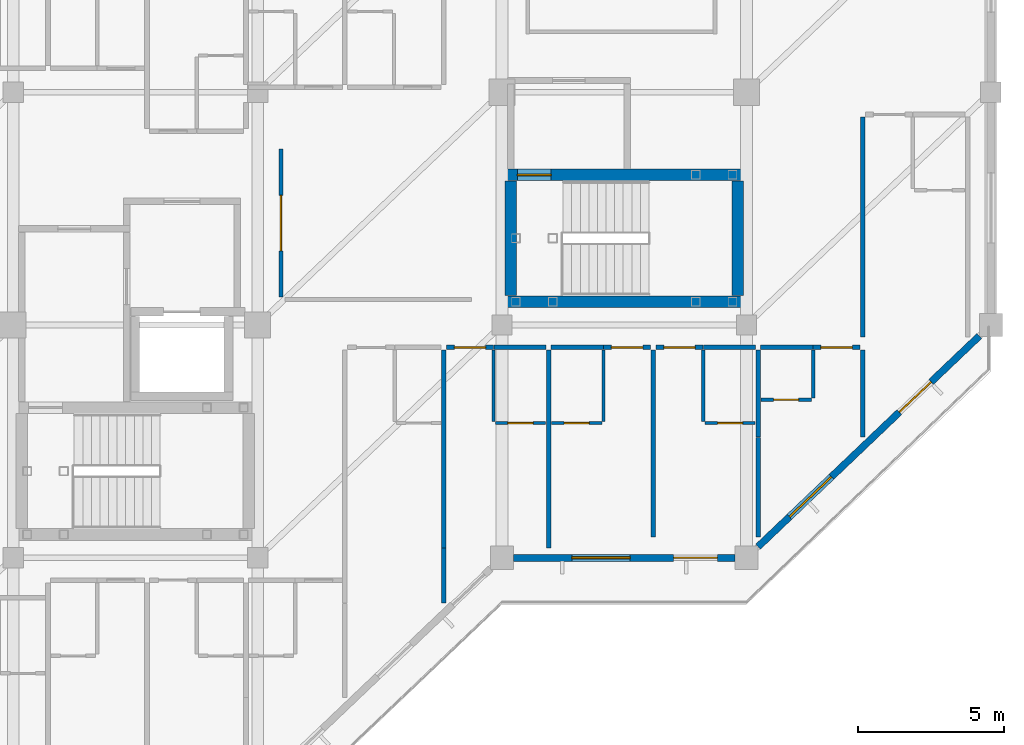
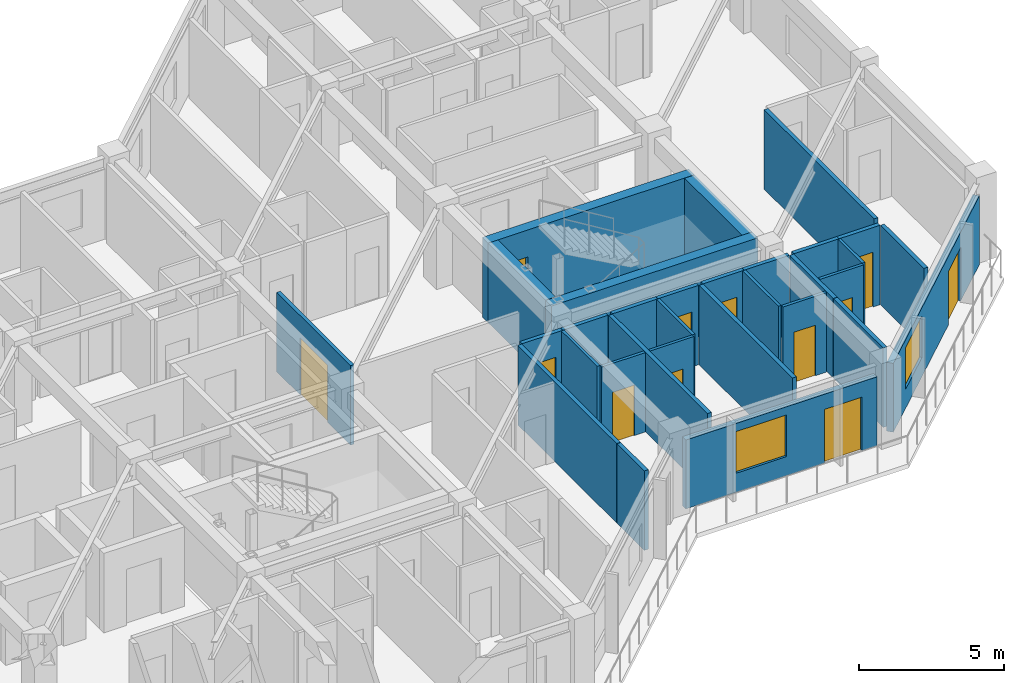
# One storey, part 11 of 17: 31 walls, 12 doors, 2 windows, 14 openings.
"""IFC4 building model written with IfcOpenShell, lengths in metres."""

from ifc_helpers import new_model, si_unit, direction, frame, frame_2d, origin, place, context, subcontext, project, spatial, rectangle, extrude, material, layer, layer_set, type_object, element, fill, save


model = new_model("IFC4")

# Units and contexts
model_context = context("Model", 3, precision=1e-05, world=origin(), true_north=direction((0.0, 1.0)))
body_context = subcontext(model_context, "Body", "Model", "MODEL_VIEW")
ifc_project = project(units=[si_unit("LENGTHUNIT", "METRE"), si_unit("AREAUNIT", "SQUARE_METRE"), si_unit("VOLUMEUNIT", "CUBIC_METRE"), si_unit("PLANEANGLEUNIT", "RADIAN"), si_unit("MASSUNIT", "GRAM", prefix="KILO")], contexts=[model_context])

# Site, building, storey
site_placement = place(None, origin())
site = spatial("IfcSite", under=ifc_project, at=site_placement, CompositionType="ELEMENT")
building_placement = place(site_placement, origin())
building = spatial("IfcBuilding", under=site, at=building_placement, Name="Naruveol Harbour Congress Hotel", CompositionType="ELEMENT")
storey_placement = place(building_placement, frame((0.0, 0.0, 25.199951171875)))
storey = spatial("IfcBuildingStorey", under=building, at=storey_placement, Name="L05", CompositionType="ELEMENT", Elevation=25.199951171875)

# Wall, opening, door
ifc_material_1 = material(Name="Acoustic Double Stud Gypsum", Category="gypsum")
ifc_layer_1 = layer(ifc_material_1, 0.139892578125)
ifc_layer_set_1 = layer_set([ifc_layer_1], Name="Acoustic Double Stud Gypsum")
wall_type_1 = type_object("IfcWallType", Name="ACOUSTIC MEETING PARTITION WALL 140", PredefinedType="PARTITIONING", material=ifc_layer_set_1)
wall_1_placement = place(storey_placement, frame((160.39990234375, 24.9599609375, 0.0), z_axis=(0.0, 0.0, 1.0), x_axis=(0.0, 1.0, 0.0)))
wall_1 = element("IfcWall", 1, at=wall_1_placement, inside=storey, type_object=wall_type_1, Name="Executive Club Salon west entry wall PW-140", PredefinedType="PARTITIONING", context=body_context, shape_type="SweptSolid", body=[
    extrude(rectangle(XDim=5.080078125, YDim=0.139892578125, at=frame_2d((2.5400390625, 0.0))), origin(), (0.0, 0.0, 1.0), 3.3349609375),
])
opening_1_placement = place(wall_1_placement, frame((1.590087890625, 0.0, 0.0)))
opening_1 = element("IfcOpeningElement", 2, at=opening_1_placement, cuts=wall_1, Name="Opening ID-LG-103", PredefinedType="OPENING", context=body_context, shape_type="SweptSolid", body=[
    extrude(rectangle(XDim=1.89990234375, YDim=2.39990234375, at=frame_2d((0.949951171875, 1.199951171875))), frame((0.0, 0.079833984375, 0.0), z_axis=(0.0, -1.0, 0.0), x_axis=(1.0, 0.0, 0.0)), (0.0, 0.0, 1.0), 0.159912109375),
])
ifc_material_2 = material(Name="Timber & Steel Acoustic Leaf", Category="steel")
door_type_1 = type_object("IfcDoorType", Name="RESTAURANT AND LOUNGE GLAZED DOOR 1900X2400", OperationType="DOUBLE_DOOR_SINGLE_SWING", PredefinedType="DOOR", material=ifc_material_2)
door_1_placement = place(opening_1_placement, origin())
door_1 = element("IfcDoor", 3, at=door_1_placement, inside=storey, type_object=door_type_1, Name="Executive Club Salon Entrance Door", OperationType="DOUBLE_DOOR_SINGLE_SWING", OverallHeight=2.39990234375, OverallWidth=1.89990234375, PredefinedType="DOOR", context=body_context, shape_type="SweptSolid", body=[
    extrude(rectangle(XDim=1.89990234375, YDim=2.39990234375, at=frame_2d((0.949951171875, 1.199951171875))), frame((0.0, 0.02490234375, 0.0), z_axis=(0.0, -1.0, 0.0), x_axis=(1.0, 0.0, 0.0)), (0.0, 0.0, 1.0), 0.050048828125),
])
fill(opening_1, door_1)

# Wall
ifc_material_3 = material(Name="Moisture-Resistant Gypsum Partition", Category="gypsum")
ifc_layer_2 = layer(ifc_material_3, 0.114990234375)
ifc_layer_set_2 = layer_set([ifc_layer_2], Name="Moisture-Resistant Gypsum Partition")
wall_type_2 = type_object("IfcWallType", Name="BATHROOM MOISTURE PARTITION WALL 115", PredefinedType="PARTITIONING", material=ifc_layer_set_2)
wall_2_placement = place(storey_placement, frame((167.7099609375, 20.68994140625, 0.0), z_axis=(0.0, 0.0, 1.0), x_axis=(0.0, 1.0, 0.0)))
element("IfcWall", 4, at=wall_2_placement, inside=storey, type_object=wall_type_2, Name="Bathroom west wall 0629 PW-115", PredefinedType="PARTITIONING", context=body_context, shape_type="SweptSolid", body=[
    extrude(rectangle(XDim=2.449951171875, YDim=0.114990234375, at=frame_2d((1.22509765625, 0.0))), origin(), (0.0, 0.0, 1.0), 3.3349609375),
])

# Wall, opening, door
wall_3_placement = place(storey_placement, frame((167.77001953125, 20.6298828125, 0.0), z_axis=(0.0, 0.0, 1.0), x_axis=(1.0, 0.0, 0.0)))
wall_3 = element("IfcWall", 5, at=wall_3_placement, inside=storey, type_object=wall_type_2, Name="Bathroom south wall 0629 PW-115", PredefinedType="PARTITIONING", context=body_context, shape_type="SweptSolid", body=[
    extrude(rectangle(XDim=1.72998046875, YDim=0.114990234375, at=frame_2d((0.864990234375, 0.0))), origin(), (0.0, 0.0, 1.0), 3.3349609375),
])
opening_2_placement = place(wall_3_placement, frame((0.43505859375, 0.0, 0.0)))
opening_2 = element("IfcOpeningElement", 6, at=opening_2_placement, cuts=wall_3, Name="Opening BD-RM0629", PredefinedType="OPENING", context=body_context, shape_type="SweptSolid", body=[
    extrude(rectangle(XDim=0.860107421875, YDim=2.1201171875, at=frame_2d((0.43017578125, 1.06005859375))), frame((0.0, 0.0673828125, 0.0), z_axis=(0.0, -1.0, 0.0), x_axis=(1.0, 0.0, 0.0)), (0.0, 0.0, 1.0), 0.135009765625),
])
ifc_material_4 = material(Name="Timber & Steel Acoustic Leaf", Category="steel")
door_type_2 = type_object("IfcDoorType", Name="GUEST BATHROOM DOOR 860X2120", OperationType="NOTDEFINED", PredefinedType="DOOR", material=ifc_material_4)
door_2_placement = place(opening_2_placement, origin())
door_2 = element("IfcDoor", 7, at=door_2_placement, inside=storey, type_object=door_type_2, Name="Bathroom Door 0629", OperationType="SINGLE_SWING_RIGHT", OverallHeight=2.1201171875, OverallWidth=0.860107421875, PredefinedType="DOOR", context=body_context, shape_type="SweptSolid", body=[
    extrude(rectangle(XDim=0.860107421875, YDim=2.1201171875, at=frame_2d((0.43017578125, 1.06005859375))), frame((0.0, 0.02490234375, 0.0), z_axis=(0.0, -1.0, 0.0), x_axis=(1.0, 0.0, 0.0)), (0.0, 0.0, 1.0), 0.050048828125),
])
fill(opening_2, door_2)

# Wall
wall_4_placement = place(storey_placement, frame((171.489990234375, 20.68994140625, 0.0), z_axis=(0.0, 0.0, 1.0), x_axis=(0.0, 1.0, 0.0)))
element("IfcWall", 8, at=wall_4_placement, inside=storey, type_object=wall_type_2, Name="Bathroom east wall 0630 PW-115", PredefinedType="PARTITIONING", context=body_context, shape_type="SweptSolid", body=[
    extrude(rectangle(XDim=2.449951171875, YDim=0.114990234375, at=frame_2d((1.22509765625, 0.0))), origin(), (0.0, 0.0, 1.0), 3.3349609375),
])

# Wall, opening, door
wall_5_placement = place(storey_placement, frame((169.699951171875, 20.6298828125, 0.0), z_axis=(0.0, 0.0, 1.0), x_axis=(1.0, 0.0, 0.0)))
wall_5 = element("IfcWall", 9, at=wall_5_placement, inside=storey, type_object=wall_type_2, Name="Bathroom south wall 0630 PW-115", PredefinedType="PARTITIONING", context=body_context, shape_type="SweptSolid", body=[
    extrude(rectangle(XDim=1.72998046875, YDim=0.114990234375, at=frame_2d((0.864990234375, 0.0))), origin(), (0.0, 0.0, 1.0), 3.3349609375),
])
opening_3_placement = place(wall_5_placement, frame((0.43505859375, 0.0, 0.0)))
opening_3 = element("IfcOpeningElement", 10, at=opening_3_placement, cuts=wall_5, Name="Opening BD-RM0630", PredefinedType="OPENING", context=body_context, shape_type="SweptSolid", body=[
    extrude(rectangle(XDim=0.860107421875, YDim=2.1201171875, at=frame_2d((0.43017578125, 1.06005859375))), frame((0.0, 0.0673828125, 0.0), z_axis=(0.0, -1.0, 0.0), x_axis=(1.0, 0.0, 0.0)), (0.0, 0.0, 1.0), 0.135009765625),
])
door_3_placement = place(opening_3_placement, origin())
door_3 = element("IfcDoor", 11, at=door_3_placement, inside=storey, type_object=door_type_2, Name="Bathroom Door 0630", OperationType="SINGLE_SWING_RIGHT", OverallHeight=2.1201171875, OverallWidth=0.860107421875, PredefinedType="DOOR", context=body_context, shape_type="SweptSolid", body=[
    extrude(rectangle(XDim=0.860107421875, YDim=2.1201171875, at=frame_2d((0.43017578125, 1.06005859375))), frame((0.0, 0.02490234375, 0.0), z_axis=(0.0, -1.0, 0.0), x_axis=(1.0, 0.0, 0.0)), (0.0, 0.0, 1.0), 0.050048828125),
])
fill(opening_3, door_3)

# Wall
wall_6_placement = place(storey_placement, frame((174.909912109375, 20.68994140625, 0.0), z_axis=(0.0, 0.0, 1.0), x_axis=(0.0, 1.0, 0.0)))
element("IfcWall", 12, at=wall_6_placement, inside=storey, type_object=wall_type_2, Name="Bathroom west wall 0631 PW-115", PredefinedType="PARTITIONING", context=body_context, shape_type="SweptSolid", body=[
    extrude(rectangle(XDim=2.449951171875, YDim=0.114990234375, at=frame_2d((1.22509765625, 0.0))), origin(), (0.0, 0.0, 1.0), 3.3349609375),
])

# Wall, opening, door
wall_7_placement = place(storey_placement, frame((174.969970703125, 20.6298828125, 0.0), z_axis=(0.0, 0.0, 1.0), x_axis=(1.0, 0.0, 0.0)))
wall_7 = element("IfcWall", 13, at=wall_7_placement, inside=storey, type_object=wall_type_2, Name="Bathroom south wall 0631 PW-115", PredefinedType="PARTITIONING", context=body_context, shape_type="SweptSolid", body=[
    extrude(rectangle(XDim=1.72998046875, YDim=0.114990234375, at=frame_2d((0.864990234375, 0.0))), origin(), (0.0, 0.0, 1.0), 3.3349609375),
])
opening_4_placement = place(wall_7_placement, frame((0.43505859375, 0.0, 0.0)))
opening_4 = element("IfcOpeningElement", 14, at=opening_4_placement, cuts=wall_7, Name="Opening BD-RM0631", PredefinedType="OPENING", context=body_context, shape_type="SweptSolid", body=[
    extrude(rectangle(XDim=0.860107421875, YDim=2.1201171875, at=frame_2d((0.43017578125, 1.06005859375))), frame((0.0, 0.0673828125, 0.0), z_axis=(0.0, -1.0, 0.0), x_axis=(1.0, 0.0, 0.0)), (0.0, 0.0, 1.0), 0.135009765625),
])
door_4_placement = place(opening_4_placement, origin())
door_4 = element("IfcDoor", 15, at=door_4_placement, inside=storey, type_object=door_type_2, Name="Bathroom Door 0631", OperationType="SINGLE_SWING_RIGHT", OverallHeight=2.1201171875, OverallWidth=0.860107421875, PredefinedType="DOOR", context=body_context, shape_type="SweptSolid", body=[
    extrude(rectangle(XDim=0.860107421875, YDim=2.1201171875, at=frame_2d((0.43017578125, 1.06005859375))), frame((0.0, 0.02490234375, 0.0), z_axis=(0.0, -1.0, 0.0), x_axis=(1.0, 0.0, 0.0)), (0.0, 0.0, 1.0), 0.050048828125),
])
fill(opening_4, door_4)

# Wall
wall_8_placement = place(storey_placement, frame((178.68994140625, 21.489990234375, 0.0), z_axis=(0.0, 0.0, 1.0), x_axis=(0.0, 1.0, 0.0)))
element("IfcWall", 16, at=wall_8_placement, inside=storey, type_object=wall_type_2, Name="Bathroom east wall 0632 PW-115", PredefinedType="PARTITIONING", context=body_context, shape_type="SweptSolid", body=[
    extrude(rectangle(XDim=1.64990234375, YDim=0.114990234375, at=frame_2d((0.824951171875, 0.0))), origin(), (0.0, 0.0, 1.0), 3.3349609375),
])

# Wall, opening, door
wall_9_placement = place(storey_placement, frame((176.89990234375, 21.429931640625, 0.0), z_axis=(0.0, 0.0, 1.0), x_axis=(1.0, 0.0, 0.0)))
wall_9 = element("IfcWall", 17, at=wall_9_placement, inside=storey, type_object=wall_type_2, Name="Bathroom south wall 0632 PW-115", PredefinedType="PARTITIONING", context=body_context, shape_type="SweptSolid", body=[
    extrude(rectangle(XDim=1.72998046875, YDim=0.114990234375, at=frame_2d((0.864990234375, 0.0))), origin(), (0.0, 0.0, 1.0), 3.3349609375),
])
opening_5_placement = place(wall_9_placement, frame((0.43505859375, 0.0, 0.0)))
opening_5 = element("IfcOpeningElement", 18, at=opening_5_placement, cuts=wall_9, Name="Opening BD-RM0632", PredefinedType="OPENING", context=body_context, shape_type="SweptSolid", body=[
    extrude(rectangle(XDim=0.860107421875, YDim=2.1201171875, at=frame_2d((0.43017578125, 1.06005859375))), frame((0.0, 0.0673828125, 0.0), z_axis=(0.0, -1.0, 0.0), x_axis=(1.0, 0.0, 0.0)), (0.0, 0.0, 1.0), 0.135009765625),
])
door_5_placement = place(opening_5_placement, origin())
door_5 = element("IfcDoor", 19, at=door_5_placement, inside=storey, type_object=door_type_2, Name="Bathroom Door 0632", OperationType="SINGLE_SWING_RIGHT", OverallHeight=2.1201171875, OverallWidth=0.860107421875, PredefinedType="DOOR", context=body_context, shape_type="SweptSolid", body=[
    extrude(rectangle(XDim=0.860107421875, YDim=2.1201171875, at=frame_2d((0.43017578125, 1.06005859375))), frame((0.0, 0.02490234375, 0.0), z_axis=(0.0, -1.0, 0.0), x_axis=(1.0, 0.0, 0.0)), (0.0, 0.0, 1.0), 0.050048828125),
])
fill(opening_5, door_5)

# Wall
ifc_material_5 = material(Name="Autoclaved Aerated Concrete Block", Category="concrete")
ifc_layer_3 = layer(ifc_material_5, 0.159912109375)
ifc_layer_set_3 = layer_set([ifc_layer_3], Name="Autoclaved Aerated Concrete Block")
wall_type_3 = type_object("IfcWallType", Name="HOTEL PARTY AND CORRIDOR WALL 160 EI60", PredefinedType="PARTITIONING", material=ifc_layer_set_3)
wall_10_placement = place(storey_placement, frame((166.0, 14.43994140625, 0.0), z_axis=(0.0, 0.0, 1.0), x_axis=(0.0, 1.0, 0.0)))
element("IfcWall", 20, at=wall_10_placement, inside=storey, type_object=wall_type_3, Name="Hotel end party wall 0628 PW-160", PredefinedType="PARTITIONING", context=body_context, shape_type="SweptSolid", body=[
    extrude(rectangle(XDim=1.89013671875, YDim=0.159912109375, at=frame_2d((0.945068359375, 0.0))), origin(), (0.0, 0.0, 1.0), 3.3349609375),
])

# Wall, opening, door
wall_11_placement = place(storey_placement, frame((166.090087890625, 23.22998046875, 0.0), z_axis=(0.0, 0.0, 1.0), x_axis=(1.0, 0.0, 0.0)))
wall_11 = element("IfcWall", 21, at=wall_11_placement, inside=storey, type_object=wall_type_3, Name="Corridor entry wall 0629 PW-160", PredefinedType="PARTITIONING", context=body_context, shape_type="SweptSolid", body=[
    extrude(rectangle(XDim=1.619873046875, YDim=0.159912109375, at=frame_2d((0.81005859375, 0.0))), origin(), (0.0, 0.0, 1.0), 3.3349609375),
])
opening_6_placement = place(wall_11_placement, frame((0.27001953125, 0.0, 0.0)))
opening_6 = element("IfcOpeningElement", 22, at=opening_6_placement, cuts=wall_11, Name="Opening FD-RM0629", PredefinedType="OPENING", context=body_context, shape_type="SweptSolid", body=[
    extrude(rectangle(XDim=1.080078125, YDim=2.300048828125, at=frame_2d((0.5400390625, 1.14990234375))), frame((0.0, 0.08984375, 0.0), z_axis=(0.0, -1.0, 0.0), x_axis=(1.0, 0.0, 0.0)), (0.0, 0.0, 1.0), 0.179931640625),
])
ifc_material_6 = material(Name="Timber & Steel Acoustic Leaf", Category="steel")
door_type_3 = type_object("IfcDoorType", Name="SUITE ENTRANCE FIRE DOOR 1080X2300", OperationType="NOTDEFINED", PredefinedType="DOOR", material=ifc_material_6)
door_6_placement = place(opening_6_placement, origin())
door_6 = element("IfcDoor", 23, at=door_6_placement, inside=storey, type_object=door_type_3, Name="Hotel Room Door 0629", OperationType="SINGLE_SWING_LEFT", OverallHeight=2.300048828125, OverallWidth=1.080078125, PredefinedType="DOOR", context=body_context, shape_type="SweptSolid", body=[
    extrude(rectangle(XDim=1.080078125, YDim=2.300048828125, at=frame_2d((0.5400390625, 1.14990234375))), frame((0.0, 0.02490234375, 0.0), z_axis=(0.0, -1.0, 0.0), x_axis=(1.0, 0.0, 0.0)), (0.0, 0.0, 1.0), 0.050048828125),
])
fill(opening_6, door_6)

# Walls
wall_12_placement = place(storey_placement, frame((167.719970703125, 23.22998046875, 0.0), z_axis=(0.0, 0.0, 1.0), x_axis=(1.0, 0.0, 0.0)))
element("IfcWall", 24, at=wall_12_placement, inside=storey, type_object=wall_type_3, Name="Corridor wall 0629B PW-160", PredefinedType="PARTITIONING", context=body_context, shape_type="SweptSolid", body=[
    extrude(rectangle(XDim=1.7900390625, YDim=0.159912109375, at=frame_2d((0.89501953125, 0.0))), origin(), (0.0, 0.0, 1.0), 3.3349609375),
])
wall_13_placement = place(storey_placement, frame((166.0, 16.340087890625, 0.0), z_axis=(0.0, 0.0, 1.0), x_axis=(0.0, 1.0, 0.0)))
element("IfcWall", 25, at=wall_13_placement, inside=storey, type_object=wall_type_3, Name="Hotel party wall 0629 PW-160", PredefinedType="PARTITIONING", context=body_context, shape_type="SweptSolid", body=[
    extrude(rectangle(XDim=6.7998046875, YDim=0.159912109375, at=frame_2d((3.39990234375, 0.0))), origin(), (0.0, 0.0, 1.0), 3.3349609375),
])
wall_14_placement = place(storey_placement, frame((169.68994140625, 23.22998046875, 0.0), z_axis=(0.0, 0.0, 1.0), x_axis=(1.0, 0.0, 0.0)))
element("IfcWall", 26, at=wall_14_placement, inside=storey, type_object=wall_type_3, Name="Corridor wall 0630B PW-160", PredefinedType="PARTITIONING", context=body_context, shape_type="SweptSolid", body=[
    extrude(rectangle(XDim=1.7900390625, YDim=0.159912109375, at=frame_2d((0.89501953125, 0.0))), origin(), (0.0, 0.0, 1.0), 3.3349609375),
])

# Wall, opening, door
wall_15_placement = place(storey_placement, frame((171.489990234375, 23.22998046875, 0.0), z_axis=(0.0, 0.0, 1.0), x_axis=(1.0, 0.0, 0.0)))
wall_15 = element("IfcWall", 27, at=wall_15_placement, inside=storey, type_object=wall_type_3, Name="Corridor entry wall 0630 PW-160", PredefinedType="PARTITIONING", context=body_context, shape_type="SweptSolid", body=[
    extrude(rectangle(XDim=1.6201171875, YDim=0.159912109375, at=frame_2d((0.81005859375, 0.0))), origin(), (0.0, 0.0, 1.0), 3.3349609375),
])
opening_7_placement = place(wall_15_placement, frame((0.27001953125, 0.0, 0.0)))
opening_7 = element("IfcOpeningElement", 28, at=opening_7_placement, cuts=wall_15, Name="Opening FD-RM0630", PredefinedType="OPENING", context=body_context, shape_type="SweptSolid", body=[
    extrude(rectangle(XDim=1.080078125, YDim=2.300048828125, at=frame_2d((0.5400390625, 1.14990234375))), frame((0.0, 0.08984375, 0.0), z_axis=(0.0, -1.0, 0.0), x_axis=(1.0, 0.0, 0.0)), (0.0, 0.0, 1.0), 0.179931640625),
])
door_7_placement = place(opening_7_placement, origin())
door_7 = element("IfcDoor", 29, at=door_7_placement, inside=storey, type_object=door_type_3, Name="Hotel Room Door 0630", OperationType="SINGLE_SWING_LEFT", OverallHeight=2.300048828125, OverallWidth=1.080078125, PredefinedType="DOOR", context=body_context, shape_type="SweptSolid", body=[
    extrude(rectangle(XDim=1.080078125, YDim=2.300048828125, at=frame_2d((0.5400390625, 1.14990234375))), frame((0.0, 0.02490234375, 0.0), z_axis=(0.0, -1.0, 0.0), x_axis=(1.0, 0.0, 0.0)), (0.0, 0.0, 1.0), 0.050048828125),
])
fill(opening_7, door_7)

# Wall
wall_16_placement = place(storey_placement, frame((169.60009765625, 16.340087890625, 0.0), z_axis=(0.0, 0.0, 1.0), x_axis=(0.0, 1.0, 0.0)))
element("IfcWall", 30, at=wall_16_placement, inside=storey, type_object=wall_type_3, Name="Hotel party wall 0630 PW-160", PredefinedType="PARTITIONING", context=body_context, shape_type="SweptSolid", body=[
    extrude(rectangle(XDim=6.7998046875, YDim=0.159912109375, at=frame_2d((3.39990234375, 0.0))), origin(), (0.0, 0.0, 1.0), 3.3349609375),
])

# Wall, opening, door
wall_17_placement = place(storey_placement, frame((173.2900390625, 23.22998046875, 0.0), z_axis=(0.0, 0.0, 1.0), x_axis=(1.0, 0.0, 0.0)))
wall_17 = element("IfcWall", 31, at=wall_17_placement, inside=storey, type_object=wall_type_3, Name="Corridor entry wall 0631 PW-160", PredefinedType="PARTITIONING", context=body_context, shape_type="SweptSolid", body=[
    extrude(rectangle(XDim=1.619873046875, YDim=0.159912109375, at=frame_2d((0.81005859375, 0.0))), origin(), (0.0, 0.0, 1.0), 3.3349609375),
])
opening_8_placement = place(wall_17_placement, frame((0.27001953125, 0.0, 0.0)))
opening_8 = element("IfcOpeningElement", 32, at=opening_8_placement, cuts=wall_17, Name="Opening FD-RM0631", PredefinedType="OPENING", context=body_context, shape_type="SweptSolid", body=[
    extrude(rectangle(XDim=1.080078125, YDim=2.300048828125, at=frame_2d((0.5400390625, 1.14990234375))), frame((0.0, 0.08984375, 0.0), z_axis=(0.0, -1.0, 0.0), x_axis=(1.0, 0.0, 0.0)), (0.0, 0.0, 1.0), 0.179931640625),
])
door_8_placement = place(opening_8_placement, origin())
door_8 = element("IfcDoor", 33, at=door_8_placement, inside=storey, type_object=door_type_3, Name="Hotel Room Door 0631", OperationType="SINGLE_SWING_LEFT", OverallHeight=2.300048828125, OverallWidth=1.080078125, PredefinedType="DOOR", context=body_context, shape_type="SweptSolid", body=[
    extrude(rectangle(XDim=1.080078125, YDim=2.300048828125, at=frame_2d((0.5400390625, 1.14990234375))), frame((0.0, 0.02490234375, 0.0), z_axis=(0.0, -1.0, 0.0), x_axis=(1.0, 0.0, 0.0)), (0.0, 0.0, 1.0), 0.050048828125),
])
fill(opening_8, door_8)

# Walls
wall_18_placement = place(storey_placement, frame((174.919921875, 23.22998046875, 0.0), z_axis=(0.0, 0.0, 1.0), x_axis=(1.0, 0.0, 0.0)))
element("IfcWall", 34, at=wall_18_placement, inside=storey, type_object=wall_type_3, Name="Corridor wall 0631B PW-160", PredefinedType="PARTITIONING", context=body_context, shape_type="SweptSolid", body=[
    extrude(rectangle(XDim=1.7900390625, YDim=0.159912109375, at=frame_2d((0.89501953125, 0.0))), origin(), (0.0, 0.0, 1.0), 3.3349609375),
])
wall_19_placement = place(storey_placement, frame((173.199951171875, 16.719970703125, 0.0), z_axis=(0.0, 0.0, 1.0), x_axis=(0.0, 1.0, 0.0)))
element("IfcWall", 35, at=wall_19_placement, inside=storey, type_object=wall_type_3, Name="Hotel party wall 0631 PW-160", PredefinedType="PARTITIONING", context=body_context, shape_type="SweptSolid", body=[
    extrude(rectangle(XDim=6.419921875, YDim=0.159912109375, at=frame_2d((3.2099609375, 0.0))), origin(), (0.0, 0.0, 1.0), 3.3349609375),
])
wall_20_placement = place(storey_placement, frame((176.800048828125, 16.719970703125, 0.0), z_axis=(0.0, 0.0, 1.0), x_axis=(0.0, 1.0, 0.0)))
element("IfcWall", 36, at=wall_20_placement, inside=storey, type_object=wall_type_3, Name="Hotel end party wall 0631 PW-160", PredefinedType="PARTITIONING", context=body_context, shape_type="SweptSolid", body=[
    extrude(rectangle(XDim=3.419921875, YDim=0.159912109375, at=frame_2d((1.7099609375, 0.0))), origin(), (0.0, 0.0, 1.0), 3.3349609375),
])
wall_21_placement = place(storey_placement, frame((176.889892578125, 23.22998046875, 0.0), z_axis=(0.0, 0.0, 1.0), x_axis=(1.0, 0.0, 0.0)))
element("IfcWall", 37, at=wall_21_placement, inside=storey, type_object=wall_type_3, Name="Corridor wall 0632B PW-160", PredefinedType="PARTITIONING", context=body_context, shape_type="SweptSolid", body=[
    extrude(rectangle(XDim=1.7900390625, YDim=0.159912109375, at=frame_2d((0.89501953125, 0.0))), origin(), (0.0, 0.0, 1.0), 3.3349609375),
])

# Wall, opening, door
wall_22_placement = place(storey_placement, frame((178.68994140625, 23.22998046875, 0.0), z_axis=(0.0, 0.0, 1.0), x_axis=(1.0, 0.0, 0.0)))
wall_22 = element("IfcWall", 38, at=wall_22_placement, inside=storey, type_object=wall_type_3, Name="Corridor entry wall 0632 PW-160", PredefinedType="PARTITIONING", context=body_context, shape_type="SweptSolid", body=[
    extrude(rectangle(XDim=1.6201171875, YDim=0.159912109375, at=frame_2d((0.81005859375, 0.0))), origin(), (0.0, 0.0, 1.0), 3.3349609375),
])
opening_9_placement = place(wall_22_placement, frame((0.27001953125, 0.0, 0.0)))
opening_9 = element("IfcOpeningElement", 39, at=opening_9_placement, cuts=wall_22, Name="Opening FD-RM0632", PredefinedType="OPENING", context=body_context, shape_type="SweptSolid", body=[
    extrude(rectangle(XDim=1.080078125, YDim=2.300048828125, at=frame_2d((0.5400390625, 1.14990234375))), frame((0.0, 0.08984375, 0.0), z_axis=(0.0, -1.0, 0.0), x_axis=(1.0, 0.0, 0.0)), (0.0, 0.0, 1.0), 0.179931640625),
])
door_9_placement = place(opening_9_placement, origin())
door_9 = element("IfcDoor", 40, at=door_9_placement, inside=storey, type_object=door_type_3, Name="Hotel Room Door 0632", OperationType="SINGLE_SWING_LEFT", OverallHeight=2.300048828125, OverallWidth=1.080078125, PredefinedType="DOOR", context=body_context, shape_type="SweptSolid", body=[
    extrude(rectangle(XDim=1.080078125, YDim=2.300048828125, at=frame_2d((0.5400390625, 1.14990234375))), frame((0.0, 0.02490234375, 0.0), z_axis=(0.0, -1.0, 0.0), x_axis=(1.0, 0.0, 0.0)), (0.0, 0.0, 1.0), 0.050048828125),
])
fill(opening_9, door_9)

# Walls
for number, where, z_axis, x_axis, name in (
    (41, (176.800048828125, 20.14990234375, 0.0), (0.0, 0.0, 1.0), (0.0, 1.0, 0.0), "Hotel party wall 0632 PW-160"),
    (42, (180.39990234375, 20.14990234375, 0.0), (0.0, 0.0, 1.0), (0.0, 1.0, 0.0), "Hotel end party wall 0632 PW-160"),
):
    element("IfcWall", number, at=place(storey_placement, frame(where, z_axis=z_axis, x_axis=x_axis)), inside=storey, type_object=wall_type_3, Name=name, PredefinedType="PARTITIONING", context=body_context, shape_type="SweptSolid", body=[
        extrude(rectangle(XDim=2.989990234375, YDim=0.159912109375, at=frame_2d((1.4951171875, 0.0))), origin(), (0.0, 0.0, 1.0), 3.3349609375),
    ])
wall_23_placement = place(storey_placement, frame((180.39990234375, 23.580078125, 0.0), z_axis=(0.0, 0.0, 1.0), x_axis=(0.0, 1.0, 0.0)))
element("IfcWall", 43, at=wall_23_placement, inside=storey, type_object=wall_type_3, Name="Hotel party wall 0633 PW-160", PredefinedType="PARTITIONING", context=body_context, shape_type="SweptSolid", body=[
    extrude(rectangle(XDim=7.559814453125, YDim=0.159912109375, at=frame_2d((3.77978515625, 0.0))), origin(), (0.0, 0.0, 1.0), 3.3349609375),
])

# Wall, openings, window, door
ifc_material_7 = material(Name="Concrete C40/50", Category="concrete")
ifc_layer_4 = layer(ifc_material_7, 0.239990234375)
ifc_layer_set_4 = layer_set([ifc_layer_4], Name="Concrete C40/50")
wall_type_4 = type_object("IfcWallType", Name="INSULATED HOTEL SPANDREL WALL 240", PredefinedType="SOLIDWALL", material=ifc_layer_set_4)
wall_24_placement = place(storey_placement, frame((176.0, 16.0, 0.0), z_axis=(0.0, 0.0, 1.0), x_axis=(-1.0, 0.0, 0.0)))
wall_24 = element("IfcWall", 44, at=wall_24_placement, inside=storey, type_object=wall_type_4, Name="Hotel south waterfront wall L05 EW-240", PredefinedType="SOLIDWALL", context=body_context, shape_type="SweptSolid", body=[
    extrude(rectangle(XDim=7.60009765625, YDim=0.239990234375, at=frame_2d((3.800048828125, 0.0))), origin(), (0.0, 0.0, 1.0), 2.89013671875),
])
opening_10_placement = place(wall_24_placement, frame((0.60009765625, 0.0, 0.0)))
opening_10 = element("IfcOpeningElement", 45, at=opening_10_placement, cuts=wall_24, Name="Opening BD-150-044", PredefinedType="OPENING", context=body_context, shape_type="SweptSolid", body=[
    extrude(rectangle(XDim=1.5, YDim=2.25, at=frame_2d((0.75, 1.125))), frame((0.0, 0.1298828125, 0.0), z_axis=(0.0, -1.0, 0.0), x_axis=(1.0, 0.0, 0.0)), (0.0, 0.0, 1.0), 0.260009765625),
])
opening_11_placement = place(wall_24_placement, frame((3.60009765625, 0.0, 0.800048828125)))
opening_11 = element("IfcOpeningElement", 46, at=opening_11_placement, cuts=wall_24, Name="Opening W-05", PredefinedType="OPENING", context=body_context, shape_type="SweptSolid", body=[
    extrude(rectangle(XDim=2.0, YDim=1.75, at=frame_2d((1.0, 0.875))), frame((0.0, 0.1298828125, 0.0), z_axis=(0.0, -1.0, 0.0), x_axis=(1.0, 0.0, 0.0)), (0.0, 0.0, 1.0), 0.260009765625),
])
ifc_material_8 = material(Name="Low-E Triple Glazing in Thermal Aluminium", Category="aluminium")
window_type = type_object("IfcWindowType", Name="GARDEN SUITE WINDOW 2000X1750", PartitioningType="DOUBLE_PANEL_VERTICAL", PredefinedType="WINDOW", material=ifc_material_8)
window_1_placement = place(opening_11_placement, origin())
window_1 = element("IfcWindow", 47, at=window_1_placement, inside=storey, type_object=window_type, Name="Window W-05 #332", OverallHeight=1.75, OverallWidth=2.0, PartitioningType="DOUBLE_PANEL_VERTICAL", PredefinedType="WINDOW", context=body_context, shape_type="SweptSolid", body=[
    extrude(rectangle(XDim=2.0, YDim=1.75, at=frame_2d((1.0, 0.875))), frame((0.0, 0.030029296875, 0.0), z_axis=(0.0, -1.0, 0.0), x_axis=(1.0, 0.0, 0.0)), (0.0, 0.0, 1.0), 0.06005859375),
])
fill(opening_11, window_1)
ifc_material_9 = material(Name="Powder-Coated Steel & Insulated Glazing", Category="steel")
door_type_4 = type_object("IfcDoorType", Name="SUITE BALCONY SLIDING DOOR 1500X2250", OperationType="SLIDING_TO_LEFT", PredefinedType="DOOR", material=ifc_material_9)
door_10_placement = place(opening_10_placement, origin())
door_10 = element("IfcDoor", 48, at=door_10_placement, inside=storey, type_object=door_type_4, Name="Exterior door BD-150-044", OperationType="SLIDING_TO_LEFT", OverallHeight=2.25, OverallWidth=1.5, PredefinedType="DOOR", context=body_context, shape_type="SweptSolid", body=[
    extrude(rectangle(XDim=1.5, YDim=2.25, at=frame_2d((0.75, 1.125))), frame((0.0, 0.02490234375, 0.0), z_axis=(0.0, -1.0, 0.0), x_axis=(1.0, 0.0, 0.0)), (0.0, 0.0, 1.0), 0.050048828125),
])
fill(opening_10, door_10)

wall_25_placement = place(storey_placement, frame((184.39990234375, 23.618896484375, 0.0), z_axis=(0.0, 0.0, 1.0), x_axis=(-0.724145676014, -0.689647040094, 0.0)))
wall_25 = element("IfcWall", 49, at=wall_25_placement, inside=storey, type_object=wall_type_4, Name="Hotel south waterfront wall L05 EW-240", PredefinedType="SOLIDWALL", context=body_context, shape_type="SweptSolid", body=[
    extrude(rectangle(XDim=10.494873046875, YDim=0.239990234375, at=frame_2d((5.24755859375, 0.0))), origin(), (0.0, 0.0, 1.0), 2.89013671875),
])
opening_12_placement = place(wall_25_placement, frame((2.2880859375, 0.0, 0.0)))
opening_12 = element("IfcOpeningElement", 50, at=opening_12_placement, cuts=wall_25, Name="Opening BD-150-045", PredefinedType="OPENING", context=body_context, shape_type="SweptSolid", body=[
    extrude(rectangle(XDim=1.5, YDim=2.25, at=frame_2d((0.75, 1.125))), frame((0.0, 0.1298828125, 0.0), z_axis=(0.0, -1.0, 0.0), x_axis=(1.0, 0.0, 0.0)), (0.0, 0.0, 1.0), 0.260009765625),
])
opening_13_placement = place(wall_25_placement, frame((7.009033203125, 0.0, 0.800048828125)))
opening_13 = element("IfcOpeningElement", 51, at=opening_13_placement, cuts=wall_25, Name="Opening W-05", PredefinedType="OPENING", context=body_context, shape_type="SweptSolid", body=[
    extrude(rectangle(XDim=2.0, YDim=1.75, at=frame_2d((1.0, 0.875))), frame((0.0, 0.1298828125, 0.0), z_axis=(0.0, -1.0, 0.0), x_axis=(1.0, 0.0, 0.0)), (0.0, 0.0, 1.0), 0.260009765625),
])
window_2_placement = place(opening_13_placement, origin())
window_2 = element("IfcWindow", 52, at=window_2_placement, inside=storey, type_object=window_type, Name="Window W-05 #335", OverallHeight=1.75, OverallWidth=2.0, PartitioningType="DOUBLE_PANEL_VERTICAL", PredefinedType="WINDOW", context=body_context, shape_type="SweptSolid", body=[
    extrude(rectangle(XDim=2.0, YDim=1.75, at=frame_2d((1.0, 0.875))), frame((0.0, 0.030029296875, 0.0), z_axis=(0.0, -1.0, 0.0), x_axis=(1.0, 0.0, 0.0)), (0.0, 0.0, 1.0), 0.06005859375),
])
fill(opening_13, window_2)
door_11_placement = place(opening_12_placement, origin())
door_11 = element("IfcDoor", 53, at=door_11_placement, inside=storey, type_object=door_type_4, Name="Exterior door BD-150-045", OperationType="SLIDING_TO_LEFT", OverallHeight=2.25, OverallWidth=1.5, PredefinedType="DOOR", context=body_context, shape_type="SweptSolid", body=[
    extrude(rectangle(XDim=1.5, YDim=2.25, at=frame_2d((0.75, 1.125))), frame((0.0, 0.02490234375, 0.0), z_axis=(0.0, -1.0, 0.0), x_axis=(1.0, 0.0, 0.0)), (0.0, 0.0, 1.0), 0.050048828125),
])
fill(opening_12, door_11)

# Walls
ifc_material_10 = material(Name="Concrete C50/60", Category="concrete")
ifc_layer_5 = layer(ifc_material_10, 0.39990234375)
ifc_layer_set_5 = layer_set([ifc_layer_5], Name="Concrete C50/60")
wall_type_5 = type_object("IfcWallType", Name="RC CORE SHEAR WALL 400 EI120", PredefinedType="SHEAR", material=ifc_layer_set_5)
wall_26_placement = place(storey_placement, frame((168.10009765625, 24.800048828125, 0.0), z_axis=(0.0, 0.0, 1.0), x_axis=(1.0, 0.0, 0.0)))
element("IfcWall", 54, at=wall_26_placement, inside=storey, type_object=wall_type_5, Name="Stair ST4 south core wall CW-400", PredefinedType="SHEAR", context=body_context, shape_type="SweptSolid", body=[
    extrude(rectangle(XDim=8.199951171875, YDim=0.39990234375, at=frame_2d((4.10009765625, 0.0))), origin(), (0.0, 0.0, 1.0), 3.3349609375),
])
wall_27_placement = place(storey_placement, frame((176.10009765625, 25.0048828125, 0.0), z_axis=(0.0, 0.0, 1.0), x_axis=(0.0, 1.0, 0.0)))
element("IfcWall", 55, at=wall_27_placement, inside=storey, type_object=wall_type_5, Name="Stair ST4 east core wall CW-400", PredefinedType="SHEAR", context=body_context, shape_type="SweptSolid", body=[
    extrude(rectangle(XDim=3.9501953125, YDim=0.39990234375, at=frame_2d((1.97509765625, 0.0))), origin(), (0.0, 0.0, 1.0), 3.3349609375),
])

# Wall, opening, door
wall_28_placement = place(storey_placement, frame((168.10009765625, 29.159912109375, 0.0), z_axis=(0.0, 0.0, 1.0), x_axis=(1.0, 0.0, 0.0)))
wall_28 = element("IfcWall", 56, at=wall_28_placement, inside=storey, type_object=wall_type_5, Name="Stair ST4 north core wall CW-400", PredefinedType="SHEAR", context=body_context, shape_type="SweptSolid", body=[
    extrude(rectangle(XDim=8.199951171875, YDim=0.39990234375, at=frame_2d((4.10009765625, 0.0))), origin(), (0.0, 0.0, 1.0), 3.3349609375),
])
opening_14_placement = place(wall_28_placement, frame((0.429931640625, 0.0, 0.0)))
opening_14 = element("IfcOpeningElement", 57, at=opening_14_placement, cuts=wall_28, Name="Opening FD-ST4-S-L05", PredefinedType="OPENING", context=body_context, shape_type="SweptSolid", body=[
    extrude(rectangle(XDim=1.159912109375, YDim=2.199951171875, at=frame_2d((0.580078125, 1.10009765625))), frame((0.0, 0.2099609375, 0.0), z_axis=(0.0, -1.0, 0.0), x_axis=(1.0, 0.0, 0.0)), (0.0, 0.0, 1.0), 0.419921875),
])
ifc_material_11 = material(Name="Timber & Steel Acoustic Leaf", Category="steel")
door_type_5 = type_object("IfcDoorType", Name="SPECIAL ESCAPE STAIR FIRE DOOR 1160X2200", OperationType="NOTDEFINED", PredefinedType="DOOR", material=ifc_material_11)
door_12_placement = place(opening_14_placement, origin())
door_12 = element("IfcDoor", 58, at=door_12_placement, inside=storey, type_object=door_type_5, Name="Special Escape Stair Door ST4 L05", OperationType="SINGLE_SWING_RIGHT", OverallHeight=2.199951171875, OverallWidth=1.159912109375, PredefinedType="DOOR", context=body_context, shape_type="SweptSolid", body=[
    extrude(rectangle(XDim=1.159912109375, YDim=2.199951171875, at=frame_2d((0.580078125, 1.10009765625))), frame((0.0, 0.02490234375, 0.0), z_axis=(0.0, -1.0, 0.0), x_axis=(1.0, 0.0, 0.0)), (0.0, 0.0, 1.0), 0.050048828125),
])
fill(opening_14, door_12)

# Wall
wall_29_placement = place(storey_placement, frame((168.300048828125, 25.0048828125, 0.0), z_axis=(0.0, 0.0, 1.0), x_axis=(0.0, 1.0, 0.0)))
element("IfcWall", 59, at=wall_29_placement, inside=storey, type_object=wall_type_5, Name="Stair ST4 west core wall CW-400", PredefinedType="SHEAR", context=body_context, shape_type="SweptSolid", body=[
    extrude(rectangle(XDim=3.9501953125, YDim=0.39990234375, at=frame_2d((1.97509765625, 0.0))), origin(), (0.0, 0.0, 1.0), 3.3349609375),
])

save(model, "model.ifc")
